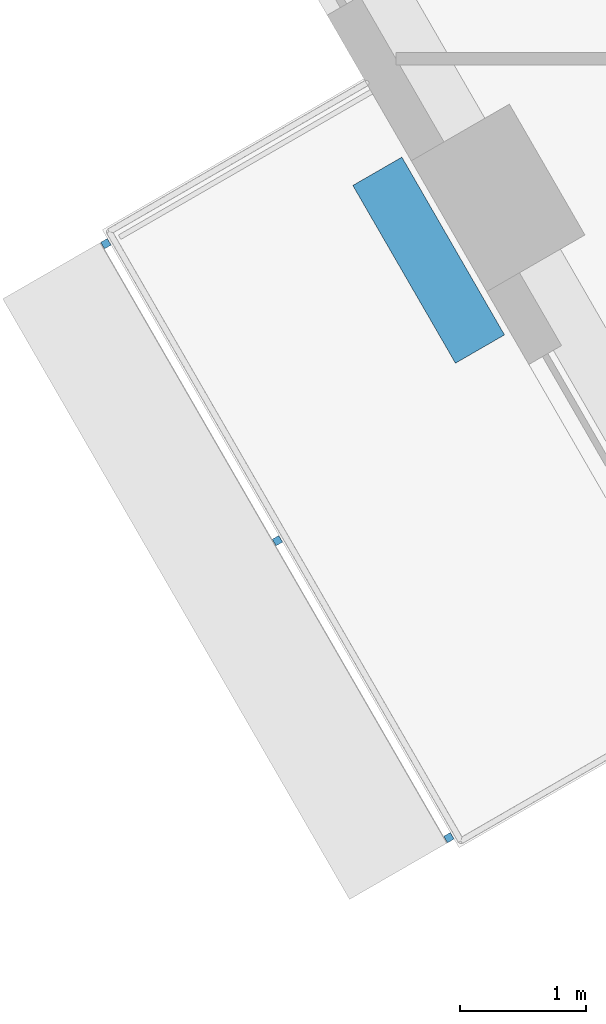
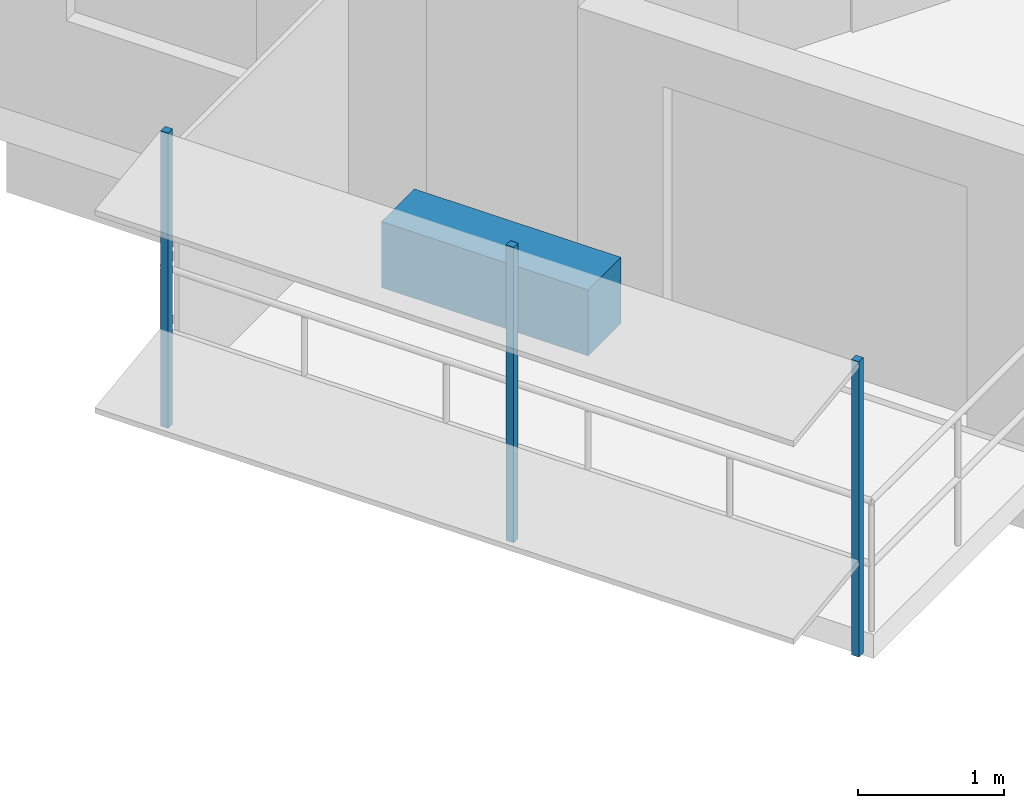
# One storey, part 10 of 15: 4 discrete accessories.
"""IFC4 building model written with IfcOpenShell, lengths in metres."""

from ifc_helpers import new_model, si_unit, direction, frame, origin, origin_2d, place, context, subcontext, project, spatial, rectangle, extrude, material, type_object, element, save


model = new_model("IFC4")

# Units and contexts
model_context = context("Model", 3, precision=1e-05, world=origin(), true_north=direction((0.0, 1.0)))
body_context = subcontext(model_context, "Body", "Model", "MODEL_VIEW")
ifc_project = project(units=[si_unit("LENGTHUNIT", "METRE"), si_unit("AREAUNIT", "SQUARE_METRE"), si_unit("VOLUMEUNIT", "CUBIC_METRE"), si_unit("PLANEANGLEUNIT", "RADIAN"), si_unit("MASSUNIT", "GRAM", prefix="KILO")], contexts=[model_context])

# Site, building, storey
site_placement = place(None, origin())
site = spatial("IfcSite", under=ifc_project, at=site_placement, CompositionType="ELEMENT")
building_placement = place(site_placement, origin())
building = spatial("IfcBuilding", under=site, at=building_placement, Name="Nakaniwa Court", CompositionType="ELEMENT")
storey_placement = place(building_placement, frame((0.0, 0.0, 186.60009765625)))
storey = spatial("IfcBuildingStorey", under=building, at=storey_placement, Name="L48", CompositionType="ELEMENT", Elevation=186.60009765625)

# Discrete accessories
ifc_material_1 = material(Name="Black powder-coated steel bracket S275", Category="steel")
discrete_accessory_type_1 = type_object("IfcDiscreteAccessoryType", Name="Black metal louvre bracket", PredefinedType="BRACKET", material=ifc_material_1)
for number, where, z_axis, x_axis, name in (
    (1, (57.7451171875, 68.386474609375, -0.22998046875), (0.0, 0.0, 1.0), (0.500016626402, -0.866015804314, 0.0), "L48 louvre bracket 01 1"),
    (2, (59.107421875, 66.02685546875, -0.22998046875), (0.0, 0.0, 1.0), (0.500016626402, -0.866015804314, 0.0), "L48 louvre bracket 01 2"),
    (3, (60.4697265625, 63.66748046875, -0.22998046875), (0.0, 0.0, 1.0), (0.500016626402, -0.866015804314, 0.0), "L48 louvre bracket 01 3"),
):
    element("IfcDiscreteAccessory", number, at=place(storey_placement, frame(where, z_axis=z_axis, x_axis=x_axis)), inside=storey, type_object=discrete_accessory_type_1, Name=name, PredefinedType="BRACKET", context=body_context, shape_type="SweptSolid", body=[
        extrude(rectangle(XDim=0.06005859375, YDim=0.06005859375, at=origin_2d()), origin(), (0.0, 0.0, 1.0), 2.46337890625),
    ])
ifc_material_2 = material(Name="Precast concrete C40/50 planter with planted soil", Category="concrete")
discrete_accessory_type_2 = type_object("IfcDiscreteAccessoryType", Name="Planter box charcoal concrete", PredefinedType="USERDEFINED", material=ifc_material_2)
discrete_accessory_placement = place(storey_placement, frame((60.30908203125, 68.25537109375, -0.05029296875), z_axis=(0.0, 0.0, 1.0), x_axis=(0.500016626402, -0.866015804314, 0.0)))
element("IfcDiscreteAccessory", 4, at=discrete_accessory_placement, inside=storey, type_object=discrete_accessory_type_2, Name="L48 balcony PLANTER 01", ObjectType="PLANTER", PredefinedType="USERDEFINED", context=body_context, shape_type="SweptSolid", body=[
    extrude(rectangle(XDim=1.630615234375, YDim=0.449951171875, at=origin_2d()), origin(), (0.0, 0.0, 1.0), 0.550048828125),
])

save(model, "model.ifc")
